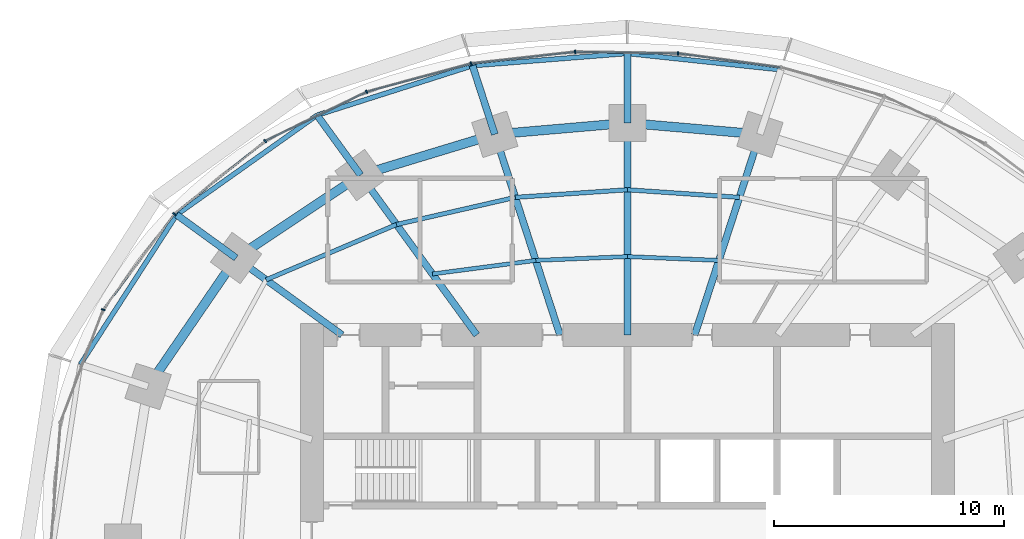
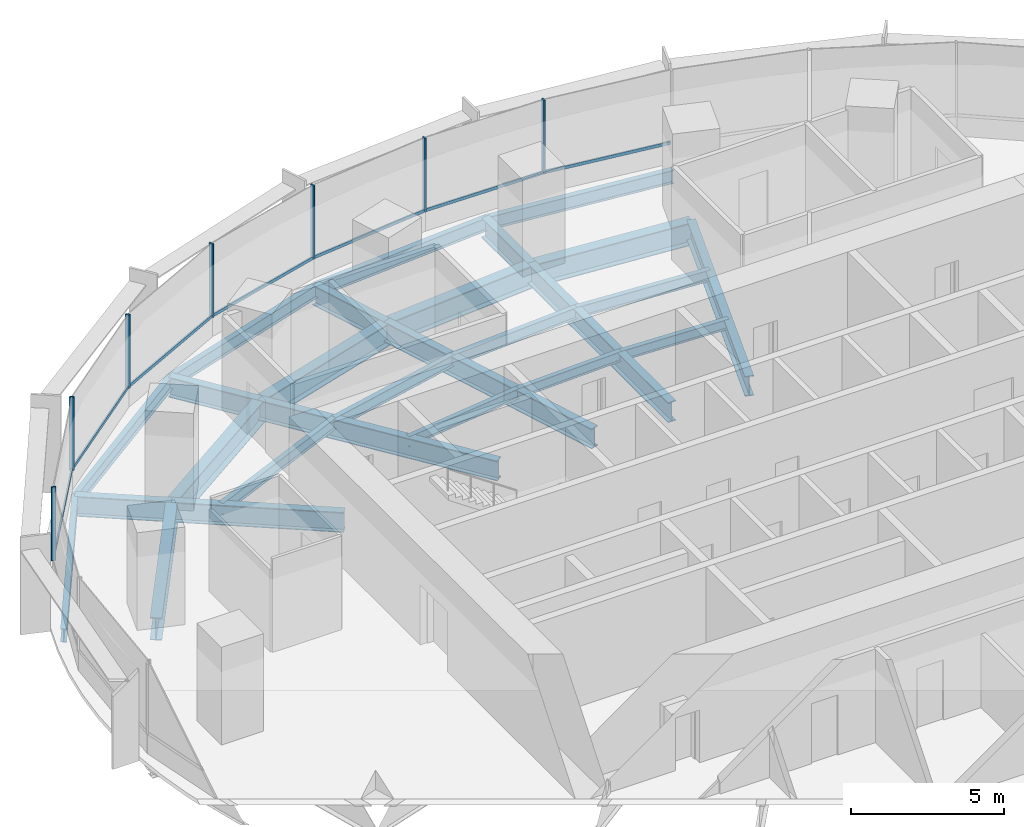
# One storey, part 7 of 14: 26 beams, 14 members, 2 elements without a shape of their own.
"""IFC4 building model written with IfcOpenShell, lengths in metres."""

from ifc_helpers import new_model, si_unit, direction, frame, origin, origin_2d, place, context, subcontext, project, spatial, rectangle, i_section, extrude, material, material_profile, profile_set, type_object, element, aggregate, save


model = new_model("IFC4")

# Units and contexts
model_context = context("Model", 3, precision=1e-05, world=origin(), true_north=direction((0.0, 1.0)))
body_context = subcontext(model_context, "Body", "Model", "MODEL_VIEW")
ifc_project = project(units=[si_unit("LENGTHUNIT", "METRE"), si_unit("AREAUNIT", "SQUARE_METRE"), si_unit("VOLUMEUNIT", "CUBIC_METRE"), si_unit("PLANEANGLEUNIT", "RADIAN"), si_unit("MASSUNIT", "GRAM", prefix="KILO")], contexts=[model_context])

# Site, building, storey
site_placement = place(None, origin())
site = spatial("IfcSite", under=ifc_project, at=site_placement, CompositionType="ELEMENT")
building_placement = place(site_placement, origin())
building = spatial("IfcBuilding", under=site, at=building_placement, Name="Marramba Exchange Tower", CompositionType="ELEMENT")
storey_placement = place(building_placement, frame((0.0, 0.0, 135.300048828125)))
storey = spatial("IfcBuildingStorey", under=building, at=storey_placement, Name="L32", CompositionType="ELEMENT", Elevation=135.300048828125)

# Beams
ifc_material_1 = material(Name="Steel AS/NZS 3679.2 grade 300", Category="steel")
ifc_material_profile_1 = material_profile(ifc_material_1, i_section(OverallWidth=0.300048828125, OverallDepth=0.800048828125, WebThickness=0.013916015625, FlangeThickness=0.031982421875, at=origin_2d()), Name="800WB192")
ifc_profile_set_1 = profile_set([ifc_material_profile_1], Name="Steel AS/NZS 3679.2 grade 300")
beam_type_1 = type_object("IfcBeamType", Name="Cantilever girder 800WB192", PredefinedType="BEAM", material=ifc_profile_set_1)
beam_1_placement = place(storey_placement, frame((0.0, 18.2041015625, -0.56005859375), z_axis=(0.0, 1.0, 0.0), x_axis=(-1.0, 0.0, 0.0)))
element("IfcBeam", 1, at=beam_1_placement, inside=storey, type_object=beam_type_1, Name="Cantilever girder L32 TC06", PredefinedType="BEAM", context=body_context, shape_type="SweptSolid", body=[
    extrude(i_section(OverallWidth=0.300048828125, OverallDepth=0.800048828125, WebThickness=0.013916015625, FlangeThickness=0.031982421875, at=origin_2d()), origin(), (0.0, 0.0, 1.0), 3.01904296875),
])
beam_2_placement = place(storey_placement, frame((-5.75390625, 17.70849609375, -0.56005859375), z_axis=(-0.309028002802, 0.95105293937, 0.0), x_axis=(-0.95105293937, -0.309028002802, 0.0)))
element("IfcBeam", 2, at=beam_2_placement, inside=storey, type_object=beam_type_1, Name="Cantilever girder L32 TC07", PredefinedType="BEAM", context=body_context, shape_type="SweptSolid", body=[
    extrude(i_section(OverallWidth=0.300048828125, OverallDepth=0.800048828125, WebThickness=0.013916015625, FlangeThickness=0.031982421875, at=origin_2d()), origin(), (0.0, 0.0, 1.0), 3.13720703125),
])
beam_3_placement = place(storey_placement, frame((-11.581298828125, 15.9404296875, -0.56005859375), z_axis=(-0.587828447158, 0.808985609706, 0.0), x_axis=(-0.808985609706, -0.587828447158, 0.0)))
element("IfcBeam", 3, at=beam_3_placement, inside=storey, type_object=beam_type_1, Name="Cantilever girder L32 TC08", PredefinedType="BEAM", context=body_context, shape_type="SweptSolid", body=[
    extrude(i_section(OverallWidth=0.300048828125, OverallDepth=0.800048828125, WebThickness=0.013916015625, FlangeThickness=0.031982421875, at=origin_2d()), origin(), (0.0, 0.0, 1.0), 3.214599609375),
])
beam_4_placement = place(storey_placement, frame((-16.98583984375, 12.3408203125, -0.56005859375), z_axis=(-0.809013857915, 0.587789569234, 0.0), x_axis=(-0.587789569234, -0.809013857915, 0.0)))
element("IfcBeam", 4, at=beam_4_placement, inside=storey, type_object=beam_type_1, Name="Cantilever girder L32 TC09", PredefinedType="BEAM", context=body_context, shape_type="SweptSolid", body=[
    extrude(i_section(OverallWidth=0.300048828125, OverallDepth=0.800048828125, WebThickness=0.013916015625, FlangeThickness=0.031982421875, at=origin_2d()), origin(), (0.0, 0.0, 1.0), 3.191650390625),
])
ifc_material_2 = material(Name="Steel AS/NZS 3679.1 grade 300", Category="steel")
ifc_material_profile_2 = material_profile(ifc_material_2, i_section(OverallWidth=0.177978515625, OverallDepth=0.406005859375, WebThickness=0.0078125, FlangeThickness=0.0126953125, FilletRadius=0.011474609375, at=origin_2d()), Name="410UB59.7")
ifc_profile_set_2 = profile_set([ifc_material_profile_2], Name="Steel AS/NZS 3679.1 grade 300")
beam_type_2 = type_object("IfcBeamType", Name="Floor joist 410UB59.7", PredefinedType="JOIST", material=ifc_profile_set_2)
for number, where, z_axis, x_axis, name in (
    (5, (3.975830078125, 12.236083984375, -0.363037109375), (-0.999137002892, 0.041536122257, 0.0), (-0.041536122257, -0.999137002892, 0.0), "Joist L32 bay 05 row 1"),
    (6, (0.0, 12.4013671875, -0.363037109375), (-0.999137002892, -0.041536122257, 0.0), (0.041536122257, -0.999137002892, 0.0), "Joist L32 bay 06 row 1"),
):
    element("IfcBeam", number, at=place(storey_placement, frame(where, z_axis=z_axis, x_axis=x_axis)), inside=storey, type_object=beam_type_2, Name=name, PredefinedType="JOIST", context=body_context, shape_type="SweptSolid", body=[
        extrude(i_section(OverallWidth=0.177978515625, OverallDepth=0.406005859375, WebThickness=0.0078125, FlangeThickness=0.0126953125, FilletRadius=0.011474609375, at=origin_2d()), origin(), (0.0, 0.0, 1.0), 3.979248046875),
    ])
beam_5_placement = place(storey_placement, frame((-3.975830078125, 12.236083984375, -0.363037109375), z_axis=(-0.991480538255, -0.130254912618, 0.0), x_axis=(0.130254912618, -0.991480538255, 0.0)))
element("IfcBeam", 7, at=beam_5_placement, inside=storey, type_object=beam_type_2, Name="Joist L32 bay 07 row 1", PredefinedType="JOIST", context=body_context, shape_type="SweptSolid", body=[
    extrude(i_section(OverallWidth=0.177978515625, OverallDepth=0.406005859375, WebThickness=0.0078125, FlangeThickness=0.0126953125, FilletRadius=0.011474609375, at=origin_2d()), origin(), (0.0, 0.0, 1.0), 4.524658203125),
])
ifc_material_profile_3 = material_profile(ifc_material_2, i_section(OverallWidth=0.18994140625, OverallDepth=0.4541015625, WebThickness=0.008544921875, FlangeThickness=0.0126953125, FilletRadius=0.011474609375, at=origin_2d()), Name="460UB67.1")
ifc_profile_set_3 = profile_set([ifc_material_profile_3], Name="Steel AS/NZS 3679.1 grade 300")
beam_type_3 = type_object("IfcBeamType", Name="Floor joist 460UB67.1", PredefinedType="JOIST", material=ifc_profile_set_3)
for number, where, z_axis, x_axis, name in (
    (8, (4.86474609375, 14.972412109375, -0.386962890625), (-0.997702652202, 0.067745241816, 0.0), (-0.067745241816, -0.997702652202, 0.0), "Joist L32 bay 05 row 2"),
    (9, (0.0, 15.302734375, -0.386962890625), (-0.997702652202, -0.067745241816, 0.0), (0.067745241816, -0.997702652202, 0.0), "Joist L32 bay 06 row 2"),
):
    element("IfcBeam", number, at=place(storey_placement, frame(where, z_axis=z_axis, x_axis=x_axis)), inside=storey, type_object=beam_type_3, Name=name, PredefinedType="JOIST", context=body_context, shape_type="SweptSolid", body=[
        extrude(i_section(OverallWidth=0.18994140625, OverallDepth=0.4541015625, WebThickness=0.008544921875, FlangeThickness=0.0126953125, FilletRadius=0.011474609375, at=origin_2d()), origin(), (0.0, 0.0, 1.0), 4.8759765625),
    ])
beam_6_placement = place(storey_placement, frame((-4.86474609375, 14.972412109375, -0.386962890625), z_axis=(-0.974859652292, -0.222819788916, 0.0), x_axis=(0.222819788916, -0.974859652292, 0.0)))
element("IfcBeam", 10, at=beam_6_placement, inside=storey, type_object=beam_type_3, Name="Joist L32 bay 07 row 2", PredefinedType="JOIST", context=body_context, shape_type="SweptSolid", body=[
    extrude(i_section(OverallWidth=0.18994140625, OverallDepth=0.4541015625, WebThickness=0.008544921875, FlangeThickness=0.0126953125, FilletRadius=0.011474609375, at=origin_2d()), origin(), (0.0, 0.0, 1.0), 5.2900390625),
])
beam_7_placement = place(storey_placement, frame((-10.021728515625, 13.793701171875, -0.386962890625), z_axis=(-0.920674336375, -0.390331610738, 0.0), x_axis=(0.390331610738, -0.920674336375, 0.0)))
element("IfcBeam", 11, at=beam_7_placement, inside=storey, type_object=beam_type_3, Name="Joist L32 bay 08 row 2", PredefinedType="JOIST", context=body_context, shape_type="SweptSolid", body=[
    extrude(i_section(OverallWidth=0.18994140625, OverallDepth=0.4541015625, WebThickness=0.008544921875, FlangeThickness=0.0126953125, FilletRadius=0.011474609375, at=origin_2d()), origin(), (0.0, 0.0, 1.0), 6.1484375),
])

# Curtain wall, members
ifc_material_3 = material(Name="Aluminium framing, bronze anodised", Category="aluminium")
curtain_wall_type = type_object("IfcCurtainWallType", Name="Office ribbon curtain wall", PredefinedType="USERDEFINED", material=ifc_material_3)
curtain_wall_1_placement = place(storey_placement, origin())
curtain_wall_1 = element("IfcCurtainWall", 12, at=curtain_wall_1_placement, inside=storey, type_object=curtain_wall_type, Name="Curtain wall CW4 L32 F06-F10", ObjectType="RIBBON CURTAIN WALL", PredefinedType="USERDEFINED")
ifc_material_4 = material(Name="Aluminium mullion, bronze anodised", Category="aluminium")
ifc_material_profile_4 = material_profile(ifc_material_4, rectangle(XDim=0.159912109375, YDim=0.06005859375, at=origin_2d()), Name="CW4 mullion 60x160")
ifc_profile_set_4 = profile_set([ifc_material_profile_4], Name="Aluminium mullion, bronze anodised")
member_type_1 = type_object("IfcMemberType", Name="Office ribbon curtain wall mullion", PredefinedType="MULLION", material=ifc_profile_set_4)
member_1_placement = place(storey_placement, frame((2.200439453125, 21.2216796875, 0.800048828125), z_axis=(0.0, 0.0, 1.0), x_axis=(-0.01575578169, -0.999875869968, 0.0)))
member_1 = element("IfcMember", 13, at=member_1_placement, type_object=member_type_1, Name="CW4 mullion 1", PredefinedType="MULLION", context=body_context, shape_type="SweptSolid", body=[
    extrude(rectangle(XDim=0.159912109375, YDim=0.06005859375, at=origin_2d()), origin(), (0.0, 0.0, 1.0), 2.93994140625),
])
member_2_placement = place(storey_placement, frame((-2.267578125, 21.288330078125, 0.800048828125), z_axis=(0.0, 0.0, 1.0), x_axis=(0.110973233233, -0.993823395532, 0.0)))
member_2 = element("IfcMember", 14, at=member_2_placement, type_object=member_type_1, Name="CW4 mullion 1", PredefinedType="MULLION", context=body_context, shape_type="SweptSolid", body=[
    extrude(rectangle(XDim=0.159912109375, YDim=0.06005859375, at=origin_2d()), origin(), (0.0, 0.0, 1.0), 2.93994140625),
])
member_3_placement = place(storey_placement, frame((-6.783203125, 20.779541015625, 0.800048828125), z_axis=(0.0, 0.0, 1.0), x_axis=(0.260321294588, -0.965522047176, 0.0)))
member_3 = element("IfcMember", 15, at=member_3_placement, type_object=member_type_1, Name="CW4 mullion 1", PredefinedType="MULLION", context=body_context, shape_type="SweptSolid", body=[
    extrude(rectangle(XDim=0.159912109375, YDim=0.06005859375, at=origin_2d()), origin(), (0.0, 0.0, 1.0), 2.93994140625),
])

curtain_wall_2_placement = place(storey_placement, origin())
curtain_wall_2 = element("IfcCurtainWall", 16, at=curtain_wall_2_placement, inside=storey, type_object=curtain_wall_type, Name="Curtain wall CW4 L32 F11-F15", ObjectType="RIBBON CURTAIN WALL", PredefinedType="USERDEFINED")
member_4_placement = place(storey_placement, frame((-11.32177734375, 19.550048828125, 0.800048828125), z_axis=(0.0, 0.0, 1.0), x_axis=(0.435427626771, -0.900223739881, 0.0)))
member_4 = element("IfcMember", 17, at=member_4_placement, type_object=member_type_1, Name="CW4 mullion 1", PredefinedType="MULLION", context=body_context, shape_type="SweptSolid", body=[
    extrude(rectangle(XDim=0.159912109375, YDim=0.06005859375, at=origin_2d()), origin(), (0.0, 0.0, 1.0), 2.93994140625),
])
member_5_placement = place(storey_placement, frame((-15.720703125, 17.414794921875, 0.800048828125), z_axis=(0.0, 0.0, 1.0), x_axis=(0.624307950145, -0.78117833008, 0.0)))
member_5 = element("IfcMember", 18, at=member_5_placement, type_object=member_type_1, Name="CW4 mullion 1", PredefinedType="MULLION", context=body_context, shape_type="SweptSolid", body=[
    extrude(rectangle(XDim=0.159912109375, YDim=0.06005859375, at=origin_2d()), origin(), (0.0, 0.0, 1.0), 2.93994140625),
])
member_6_placement = place(storey_placement, frame((-19.666748046875, 14.251708984375, 0.800048828125), z_axis=(0.0, 0.0, 1.0), x_axis=(0.80171686484, -0.597703997504, 0.0)))
member_6 = element("IfcMember", 19, at=member_6_placement, type_object=member_type_1, Name="CW4 mullion 1", PredefinedType="MULLION", context=body_context, shape_type="SweptSolid", body=[
    extrude(rectangle(XDim=0.159912109375, YDim=0.06005859375, at=origin_2d()), origin(), (0.0, 0.0, 1.0), 2.93994140625),
])
member_7_placement = place(storey_placement, frame((-22.75341796875, 10.09765625, 0.800048828125), z_axis=(0.0, 0.0, 1.0), x_axis=(0.934925346317, -0.354844468484, 0.0)))
member_7 = element("IfcMember", 20, at=member_7_placement, type_object=member_type_1, Name="CW4 mullion 1", PredefinedType="MULLION", context=body_context, shape_type="SweptSolid", body=[
    extrude(rectangle(XDim=0.159912109375, YDim=0.06005859375, at=origin_2d()), origin(), (0.0, 0.0, 1.0), 2.93994140625),
])

# Member
ifc_material_5 = material(Name="Aluminium transom, bronze anodised", Category="aluminium")
ifc_material_profile_5 = material_profile(ifc_material_5, rectangle(XDim=0.06005859375, YDim=0.1201171875, at=origin_2d()), Name="CW4 transom 60x120")
ifc_profile_set_5 = profile_set([ifc_material_profile_5], Name="Aluminium transom, bronze anodised")
member_type_2 = type_object("IfcMemberType", Name="Office ribbon curtain wall transom", PredefinedType="USERDEFINED", material=ifc_profile_set_5)
member_8_placement = place(storey_placement, frame((6.636962890625, 20.6171875, 0.829833984375), z_axis=(-0.990736067897, 0.135801486619, 0.0), x_axis=(-0.135801486619, -0.990736067897, 0.0)))
member_8 = element("IfcMember", 21, at=member_8_placement, type_object=member_type_2, Name="CW4 sill transom", ObjectType="TRANSOM", PredefinedType="USERDEFINED", context=body_context, shape_type="SweptSolid", body=[
    extrude(rectangle(XDim=0.06005859375, YDim=0.1201171875, at=origin_2d()), origin(), (0.0, 0.0, 1.0), 4.44775390625),
])

member_9_placement = place(storey_placement, frame((2.17041015625, 21.22216796875, 0.829833984375), z_axis=(-0.999875452363, 0.015782260962, 0.0), x_axis=(-0.015782260962, -0.999875452363, 0.0)))
member_9 = element("IfcMember", 22, at=member_9_placement, type_object=member_type_2, Name="CW4 sill transom", ObjectType="TRANSOM", PredefinedType="USERDEFINED", context=body_context, shape_type="SweptSolid", body=[
    extrude(rectangle(XDim=0.06005859375, YDim=0.1201171875, at=origin_2d()), origin(), (0.0, 0.0, 1.0), 4.40869140625),
])

member_10_placement = place(storey_placement, frame((-2.29736328125, 21.284912109375, 0.829833984375), z_axis=(-0.993825837835, -0.110951358943, 0.0), x_axis=(0.110951358943, -0.993825837835, 0.0)))
member_10 = element("IfcMember", 23, at=member_10_placement, type_object=member_type_2, Name="CW4 sill transom", ObjectType="TRANSOM", PredefinedType="USERDEFINED", context=body_context, shape_type="SweptSolid", body=[
    extrude(rectangle(XDim=0.06005859375, YDim=0.1201171875, at=origin_2d()), origin(), (0.0, 0.0, 1.0), 4.484375),
])

member_11_placement = place(storey_placement, frame((-6.812255859375, 20.771728515625, 0.829833984375), z_axis=(-0.965511085148, -0.260361948942, 0.0), x_axis=(0.260361948942, -0.965511085148, 0.0)))
member_11 = element("IfcMember", 24, at=member_11_placement, type_object=member_type_2, Name="CW4 sill transom", ObjectType="TRANSOM", PredefinedType="USERDEFINED", context=body_context, shape_type="SweptSolid", body=[
    extrude(rectangle(XDim=0.06005859375, YDim=0.1201171875, at=origin_2d()), origin(), (0.0, 0.0, 1.0), 4.642578125),
])

aggregate(curtain_wall_1, [member_8, member_1, member_9, member_2, member_10, member_3, member_11])

member_12_placement = place(storey_placement, frame((-11.348876953125, 19.536865234375, 0.829833984375), z_axis=(-0.900223166385, -0.435428812442, 0.0), x_axis=(0.435428812442, -0.900223166385, 0.0)))
member_12 = element("IfcMember", 25, at=member_12_placement, type_object=member_type_2, Name="CW4 sill transom", ObjectType="TRANSOM", PredefinedType="USERDEFINED", context=body_context, shape_type="SweptSolid", body=[
    extrude(rectangle(XDim=0.06005859375, YDim=0.1201171875, at=origin_2d()), origin(), (0.0, 0.0, 1.0), 4.830322265625),
])

member_13_placement = place(storey_placement, frame((-15.744140625, 17.396240234375, 0.829833984375), z_axis=(-0.781164169531, -0.624325668414, 0.0), x_axis=(0.624325668414, -0.781164169531, 0.0)))
member_13 = element("IfcMember", 26, at=member_13_placement, type_object=member_type_2, Name="CW4 sill transom", ObjectType="TRANSOM", PredefinedType="USERDEFINED", context=body_context, shape_type="SweptSolid", body=[
    extrude(rectangle(XDim=0.06005859375, YDim=0.1201171875, at=origin_2d()), origin(), (0.0, 0.0, 1.0), 4.998291015625),
])

member_14_placement = place(storey_placement, frame((-19.6845703125, 14.2275390625, 0.829833984375), z_axis=(-0.597714731658, -0.801708862093, 0.0), x_axis=(0.801708862093, -0.597714731658, 0.0)))
member_14 = element("IfcMember", 27, at=member_14_placement, type_object=member_type_2, Name="CW4 sill transom", ObjectType="TRANSOM", PredefinedType="USERDEFINED", context=body_context, shape_type="SweptSolid", body=[
    extrude(rectangle(XDim=0.06005859375, YDim=0.1201171875, at=origin_2d()), origin(), (0.0, 0.0, 1.0), 5.1162109375),
])

aggregate(curtain_wall_2, [member_4, member_12, member_5, member_13, member_6, member_14, member_7])

# Beams
ifc_material_profile_6 = material_profile(ifc_material_1, i_section(OverallWidth=0.300048828125, OverallDepth=0.800048828125, WebThickness=0.013916015625, FlangeThickness=0.031982421875, at=origin_2d()), Name="800WB192")
ifc_profile_set_6 = profile_set([ifc_material_profile_6], Name="Steel AS/NZS 3679.2 grade 300")
beam_type_4 = type_object("IfcBeamType", Name="Radial girder 800WB192", PredefinedType="BEAM", material=ifc_profile_set_6)
beam_8_placement = place(storey_placement, frame((2.92431640625, 9.0, -0.56005859375), z_axis=(0.309019754162, 0.951055619582, 0.0), x_axis=(-0.951055619582, 0.309019754162, 0.0)))
element("IfcBeam", 28, at=beam_8_placement, inside=storey, type_object=beam_type_4, Name="Radial girder L32 TC05", PredefinedType="BEAM", context=body_context, shape_type="SweptSolid", body=[
    extrude(i_section(OverallWidth=0.300048828125, OverallDepth=0.800048828125, WebThickness=0.013916015625, FlangeThickness=0.031982421875, at=origin_2d()), origin(), (0.0, 0.0, 1.0), 9.15673828125),
])
beam_9_placement = place(storey_placement, frame((0.0, 9.0, -0.56005859375), z_axis=(0.0, 1.0, 0.0), x_axis=(-1.0, 0.0, 0.0)))
element("IfcBeam", 29, at=beam_9_placement, inside=storey, type_object=beam_type_4, Name="Radial girder L32 TC06", PredefinedType="BEAM", context=body_context, shape_type="SweptSolid", body=[
    extrude(i_section(OverallWidth=0.300048828125, OverallDepth=0.800048828125, WebThickness=0.013916015625, FlangeThickness=0.031982421875, at=origin_2d()), origin(), (0.0, 0.0, 1.0), 9.2041015625),
])
beam_10_placement = place(storey_placement, frame((-2.92431640625, 9.0, -0.56005859375), z_axis=(-0.309019754162, 0.951055619582, 0.0), x_axis=(-0.951055619582, -0.309019754162, 0.0)))
element("IfcBeam", 30, at=beam_10_placement, inside=storey, type_object=beam_type_4, Name="Radial girder L32 TC07", PredefinedType="BEAM", context=body_context, shape_type="SweptSolid", body=[
    extrude(i_section(OverallWidth=0.300048828125, OverallDepth=0.800048828125, WebThickness=0.013916015625, FlangeThickness=0.031982421875, at=origin_2d()), origin(), (0.0, 0.0, 1.0), 9.15673828125),
])
beam_11_placement = place(storey_placement, frame((-6.538818359375, 9.0, -0.56005859375), z_axis=(-0.587782439969, 0.80901903764, 0.0), x_axis=(-0.80901903764, -0.587782439969, 0.0)))
element("IfcBeam", 31, at=beam_11_placement, inside=storey, type_object=beam_type_4, Name="Radial girder L32 TC08", PredefinedType="BEAM", context=body_context, shape_type="SweptSolid", body=[
    extrude(i_section(OverallWidth=0.300048828125, OverallDepth=0.800048828125, WebThickness=0.013916015625, FlangeThickness=0.031982421875, at=origin_2d()), origin(), (0.0, 0.0, 1.0), 8.578857421875),
])
beam_12_placement = place(storey_placement, frame((-12.387451171875, 9.0, -0.56005859375), z_axis=(-0.809025746925, 0.587773205252, 0.0), x_axis=(-0.587773205252, -0.809025746925, 0.0)))
element("IfcBeam", 32, at=beam_12_placement, inside=storey, type_object=beam_type_4, Name="Radial girder L32 TC09", PredefinedType="BEAM", context=body_context, shape_type="SweptSolid", body=[
    extrude(i_section(OverallWidth=0.300048828125, OverallDepth=0.800048828125, WebThickness=0.013916015625, FlangeThickness=0.031982421875, at=origin_2d()), origin(), (0.0, 0.0, 1.0), 5.683837890625),
])
ifc_material_profile_7 = material_profile(ifc_material_1, i_section(OverallWidth=0.39990234375, OverallDepth=0.89990234375, WebThickness=0.01611328125, FlangeThickness=0.031982421875, at=origin_2d()), Name="900WB282")
ifc_profile_set_7 = profile_set([ifc_material_profile_7], Name="Steel AS/NZS 3679.2 grade 300")
beam_type_5 = type_object("IfcBeamType", Name="Ring beam 900WB282", PredefinedType="SPANDREL", material=ifc_profile_set_7)
for number, where, z_axis, x_axis, name in (
    (33, (5.75390625, 17.70849609375, -0.610107421875), (-0.996311003275, 0.085815993578, 0.0), (-0.085815993578, -0.996311003275, 0.0), "Ring beam L32 TC05-TC06"),
    (34, (0.0, 18.2041015625, -0.610107421875), (-0.996311003275, -0.085815993578, 0.0), (0.085815993578, -0.996311003275, 0.0), "Ring beam L32 TC06-TC07"),
):
    element("IfcBeam", number, at=place(storey_placement, frame(where, z_axis=z_axis, x_axis=x_axis)), inside=storey, type_object=beam_type_5, Name=name, PredefinedType="SPANDREL", context=body_context, shape_type="SweptSolid", body=[
        extrude(i_section(OverallWidth=0.39990234375, OverallDepth=0.89990234375, WebThickness=0.01611328125, FlangeThickness=0.031982421875, at=origin_2d()), origin(), (0.0, 0.0, 1.0), 5.775146484375),
    ])
beam_13_placement = place(storey_placement, frame((-5.75390625, 17.70849609375, -0.610107421875), z_axis=(-0.956924542524, -0.290336735387, 0.0), x_axis=(0.290336735387, -0.956924542524, 0.0)))
element("IfcBeam", 35, at=beam_13_placement, inside=storey, type_object=beam_type_5, Name="Ring beam L32 TC07-TC08", PredefinedType="SPANDREL", context=body_context, shape_type="SweptSolid", body=[
    extrude(i_section(OverallWidth=0.39990234375, OverallDepth=0.89990234375, WebThickness=0.01611328125, FlangeThickness=0.031982421875, at=origin_2d()), origin(), (0.0, 0.0, 1.0), 6.089599609375),
])
beam_14_placement = place(storey_placement, frame((-11.581298828125, 15.9404296875, -0.610107421875), z_axis=(-0.832293151443, -0.554335737673, 0.0), x_axis=(0.554335737673, -0.832293151443, 0.0)))
element("IfcBeam", 36, at=beam_14_placement, inside=storey, type_object=beam_type_5, Name="Ring beam L32 TC08-TC09", PredefinedType="SPANDREL", context=body_context, shape_type="SweptSolid", body=[
    extrude(i_section(OverallWidth=0.39990234375, OverallDepth=0.89990234375, WebThickness=0.01611328125, FlangeThickness=0.031982421875, at=origin_2d()), origin(), (0.0, 0.0, 1.0), 6.49365234375),
])
beam_15_placement = place(storey_placement, frame((-16.98583984375, 12.3408203125, -0.610107421875), z_axis=(-0.56516002054, -0.824981303535, 0.0), x_axis=(0.824981303535, -0.56516002054, 0.0)))
element("IfcBeam", 37, at=beam_15_placement, inside=storey, type_object=beam_type_5, Name="Ring beam L32 TC09-TC10", PredefinedType="SPANDREL", context=body_context, shape_type="SweptSolid", body=[
    extrude(i_section(OverallWidth=0.39990234375, OverallDepth=0.89990234375, WebThickness=0.01611328125, FlangeThickness=0.031982421875, at=origin_2d()), origin(), (0.0, 0.0, 1.0), 6.763671875),
])
ifc_material_profile_8 = material_profile(ifc_material_2, i_section(OverallWidth=0.208984375, OverallDepth=0.528076171875, WebThickness=0.009521484375, FlangeThickness=0.01318359375, FilletRadius=0.013916015625, at=origin_2d()), Name="530UB82.0")
ifc_profile_set_8 = profile_set([ifc_material_profile_8], Name="Steel AS/NZS 3679.1 grade 300")
beam_type_6 = type_object("IfcBeamType", Name="Slab edge beam 530UB82.0", PredefinedType="SPANDREL", material=ifc_profile_set_8)
beam_16_placement = place(storey_placement, frame((6.66552734375, 20.51416015625, -0.424072265625), z_axis=(-0.994390706415, 0.105769196815, 0.0), x_axis=(-0.105769196815, -0.994390706415, 0.0)))
element("IfcBeam", 38, at=beam_16_placement, inside=storey, type_object=beam_type_6, Name="Slab edge beam L32 TC05-TC06", PredefinedType="SPANDREL", context=body_context, shape_type="SweptSolid", body=[
    extrude(i_section(OverallWidth=0.208984375, OverallDepth=0.528076171875, WebThickness=0.009521484375, FlangeThickness=0.01318359375, FilletRadius=0.013916015625, at=origin_2d()), origin(), (0.0, 0.0, 1.0), 6.703125),
])
beam_17_placement = place(storey_placement, frame((0.0, 21.22314453125, -0.424072265625), z_axis=(-0.996895681721, -0.078733726996, 0.0), x_axis=(0.078733726996, -0.996895681721, 0.0)))
element("IfcBeam", 39, at=beam_17_placement, inside=storey, type_object=beam_type_6, Name="Slab edge beam L32 TC06-TC07", PredefinedType="SPANDREL", context=body_context, shape_type="SweptSolid", body=[
    extrude(i_section(OverallWidth=0.208984375, OverallDepth=0.528076171875, WebThickness=0.009521484375, FlangeThickness=0.01318359375, FilletRadius=0.013916015625, at=origin_2d()), origin(), (0.0, 0.0, 1.0), 6.744384765625),
])
beam_18_placement = place(storey_placement, frame((-6.723388671875, 20.692138671875, -0.424072265625), z_axis=(-0.952755400854, -0.303738614839, 0.0), x_axis=(0.303738614839, -0.952755400854, 0.0)))
element("IfcBeam", 40, at=beam_18_placement, inside=storey, type_object=beam_type_6, Name="Slab edge beam L32 TC07-TC08", PredefinedType="SPANDREL", context=body_context, shape_type="SweptSolid", body=[
    extrude(i_section(OverallWidth=0.208984375, OverallDepth=0.528076171875, WebThickness=0.009521484375, FlangeThickness=0.01318359375, FilletRadius=0.013916015625, at=origin_2d()), origin(), (0.0, 0.0, 1.0), 7.08203125),
])
beam_19_placement = place(storey_placement, frame((-13.470947265625, 18.541015625, -0.424072265625), z_axis=(-0.815673202412, -0.578512944425, 0.0), x_axis=(0.578512944425, -0.815673202412, 0.0)))
element("IfcBeam", 41, at=beam_19_placement, inside=storey, type_object=beam_type_6, Name="Slab edge beam L32 TC08-TC09", PredefinedType="SPANDREL", context=body_context, shape_type="SweptSolid", body=[
    extrude(i_section(OverallWidth=0.208984375, OverallDepth=0.528076171875, WebThickness=0.009521484375, FlangeThickness=0.01318359375, FilletRadius=0.013916015625, at=origin_2d()), origin(), (0.0, 0.0, 1.0), 7.474609375),
])
beam_20_placement = place(storey_placement, frame((-19.56787109375, 14.216796875, -0.424072265625), z_axis=(-0.541060886597, -0.840983422544, 0.0), x_axis=(0.840983422544, -0.541060886597, 0.0)))
element("IfcBeam", 42, at=beam_20_placement, inside=storey, type_object=beam_type_6, Name="Slab edge beam L32 TC09-TC10", PredefinedType="SPANDREL", context=body_context, shape_type="SweptSolid", body=[
    extrude(i_section(OverallWidth=0.208984375, OverallDepth=0.528076171875, WebThickness=0.009521484375, FlangeThickness=0.01318359375, FilletRadius=0.013916015625, at=origin_2d()), origin(), (0.0, 0.0, 1.0), 7.72900390625),
])

save(model, "model.ifc")
